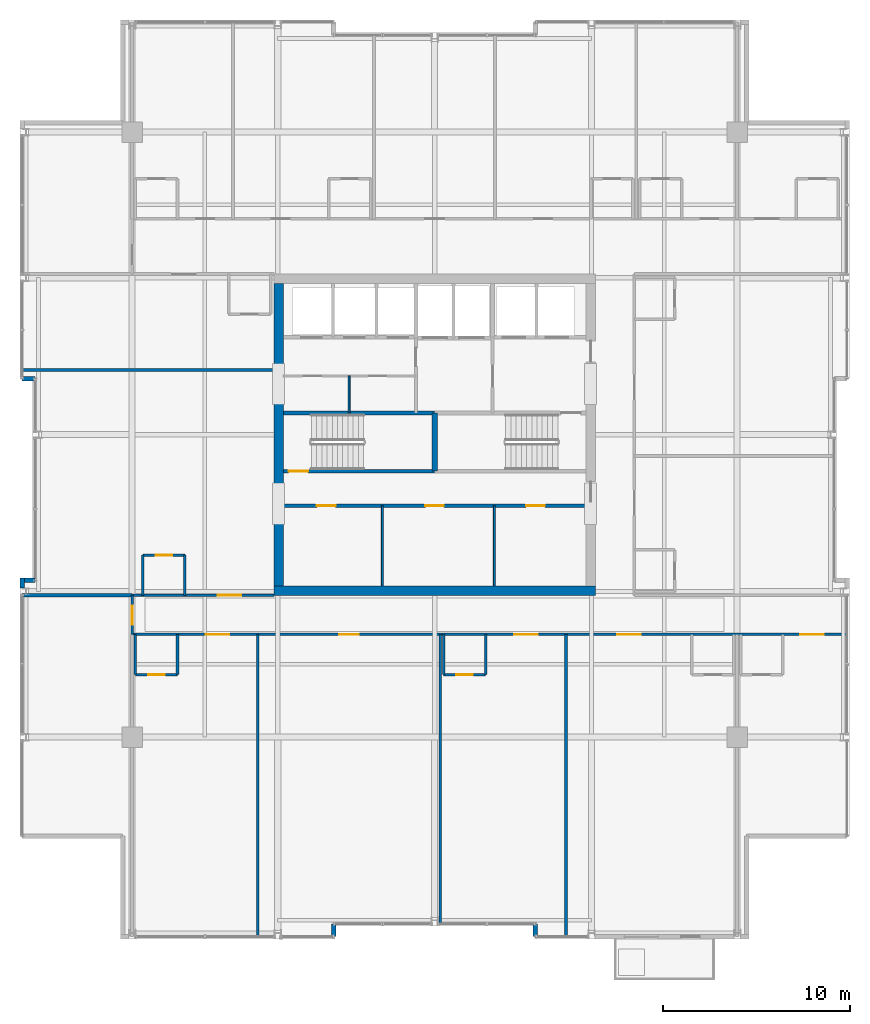
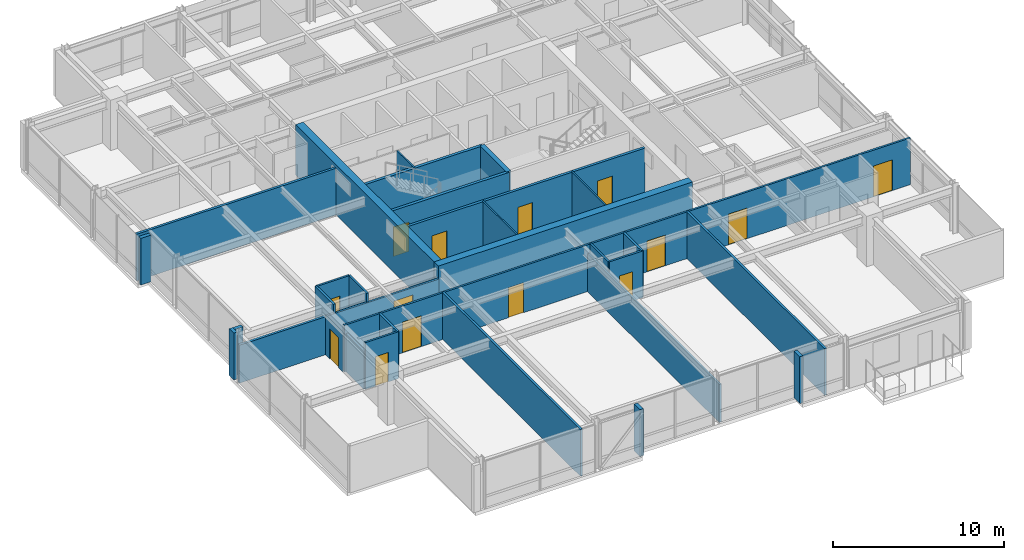
# One storey, part 26 of 32: 31 walls, 14 doors, 14 openings.
"""IFC4 building model written with IfcOpenShell, lengths in metres."""

from ifc_helpers import new_model, si_unit, direction, frame, frame_2d, origin, place, context, subcontext, project, spatial, rectangle, extrude, material, layer, layer_set, type_object, element, fill, save


model = new_model("IFC4")

# Units and contexts
model_context = context("Model", 3, precision=1e-05, world=origin(), true_north=direction((0.0, 1.0)))
body_context = subcontext(model_context, "Body", "Model", "MODEL_VIEW")
ifc_project = project(units=[si_unit("LENGTHUNIT", "METRE"), si_unit("AREAUNIT", "SQUARE_METRE"), si_unit("VOLUMEUNIT", "CUBIC_METRE"), si_unit("PLANEANGLEUNIT", "RADIAN"), si_unit("MASSUNIT", "GRAM", prefix="KILO")], contexts=[model_context])

# Site, building, storey
site_placement = place(None, origin())
site = spatial("IfcSite", under=ifc_project, at=site_placement, CompositionType="ELEMENT")
building_placement = place(site_placement, origin())
building = spatial("IfcBuilding", under=site, at=building_placement, Name="Drelvath Grand Hotel", CompositionType="ELEMENT")
storey_placement = place(building_placement, frame((0.0, 0.0, 237.5)))
storey = spatial("IfcBuildingStorey", under=building, at=storey_placement, Name="L62", CompositionType="ELEMENT", Elevation=237.5)

# Walls
ifc_material_1 = material(Name="Gypsum Partition Board")
ifc_layer_1 = layer(ifc_material_1, 0.10009765625)
ifc_layer_set_1 = layer_set([ifc_layer_1], Name="Gypsum Partition Board")
wall_type_1 = type_object("IfcWallType", Name="Core Closet Partition 100", PredefinedType="PARTITIONING", material=ifc_layer_set_1)
wall_1_placement = place(storey_placement, frame((-4.580078125, 28.159912109375, 0.0), z_axis=(0.0, 0.0, 1.0), x_axis=(0.0, 1.0, 0.0)))
element("IfcWall", 1, at=wall_1_placement, inside=storey, type_object=wall_type_1, Name="L62 Core Closet Split 1", PredefinedType="PARTITIONING", context=body_context, shape_type="SweptSolid", body=[
    extrude(rectangle(XDim=1.97998046875, YDim=0.10009765625, at=frame_2d((0.989990234375, 0.0))), origin(), (0.0, 0.0, 1.0), 3.340087890625),
])
for number, where, z_axis, x_axis, name in (
    (2, (-2.800048828125, 18.89990234375, 0.0), (0.0, 0.0, 1.0), (0.0, 1.0, 0.0), "L62 Upper Core Split 1A"),
    (3, (3.199951171875, 18.89990234375, 0.0), (0.0, 0.0, 1.0), (0.0, 1.0, 0.0), "L62 Upper Core Split 1B"),
):
    element("IfcWall", number, at=place(storey_placement, frame(where, z_axis=z_axis, x_axis=x_axis)), inside=storey, type_object=wall_type_1, Name=name, PredefinedType="PARTITIONING", context=body_context, shape_type="SweptSolid", body=[
        extrude(rectangle(XDim=4.300048828125, YDim=0.10009765625, at=frame_2d((2.14990234375, 0.0))), origin(), (0.0, 0.0, 1.0), 3.340087890625),
    ])

# Wall, opening, door
ifc_material_2 = material(Name="Concrete C40/50", Category="concrete")
ifc_layer_2 = layer(ifc_material_2, 0.199951171875)
ifc_layer_set_2 = layer_set([ifc_layer_2], Name="Concrete C40/50")
wall_type_2 = type_object("IfcWallType", Name="Core Shaft Fire Wall 200", PredefinedType="SOLIDWALL", material=ifc_layer_set_2)
wall_2_placement = place(storey_placement, frame((-8.10009765625, 25.0400390625, 0.0), z_axis=(0.0, 0.0, 1.0), x_axis=(1.0, 0.0, 0.0)))
wall_2 = element("IfcWall", 4, at=wall_2_placement, inside=storey, type_object=wall_type_2, Name="L62 Stair ST-1 South Wall", PredefinedType="SOLIDWALL", context=body_context, shape_type="SweptSolid", body=[
    extrude(rectangle(XDim=8.10009765625, YDim=0.199951171875, at=frame_2d((4.050048828125, 0.0))), origin(), (0.0, 0.0, 1.0), 3.340087890625),
])
opening_1_placement = place(wall_2_placement, frame((0.280029296875, 0.0, 0.0)))
opening_1 = element("IfcOpeningElement", 5, at=opening_1_placement, cuts=wall_2, Name="Opening D-T4G4-001", PredefinedType="OPENING", context=body_context, shape_type="SweptSolid", body=[
    extrude(rectangle(XDim=1.050048828125, YDim=2.10009765625, at=frame_2d((0.52490234375, 1.050048828125))), frame((0.0, 0.10986328125, 0.0), z_axis=(0.0, -1.0, 0.0), x_axis=(1.0, 0.0, 0.0)), (0.0, 0.0, 1.0), 0.219970703125),
])
ifc_material_3 = material(Name="Painted Steel S275", Category="steel")
door_type_1 = type_object("IfcDoorType", Name="Tower Stairwell Fire Door 1050x2100", OperationType="NOTDEFINED", PredefinedType="DOOR", material=ifc_material_3)
door_1_placement = place(opening_1_placement, origin())
door_1 = element("IfcDoor", 6, at=door_1_placement, inside=storey, type_object=door_type_1, Name="L62 Exit Stair ST-1 Door", OperationType="SINGLE_SWING_LEFT", OverallHeight=2.10009765625, OverallWidth=1.050048828125, PredefinedType="DOOR", context=body_context, shape_type="SweptSolid", body=[
    extrude(rectangle(XDim=1.050048828125, YDim=2.10009765625, at=frame_2d((0.52490234375, 1.050048828125))), frame((0.0, 0.02490234375, 0.0), z_axis=(0.0, -1.0, 0.0), x_axis=(1.0, 0.0, 0.0)), (0.0, 0.0, 1.0), 0.050048828125),
])
fill(opening_1, door_1)

# Walls
wall_3_placement = place(storey_placement, frame((-8.10009765625, 28.159912109375, 0.0), z_axis=(0.0, 0.0, 1.0), x_axis=(1.0, 0.0, 0.0)))
element("IfcWall", 7, at=wall_3_placement, inside=storey, type_object=wall_type_2, Name="L62 Stair ST-1 North Wall", PredefinedType="SOLIDWALL", context=body_context, shape_type="SweptSolid", body=[
    extrude(rectangle(XDim=8.10009765625, YDim=0.199951171875, at=frame_2d((4.050048828125, 0.0))), origin(), (0.0, 0.0, 1.0), 3.340087890625),
])
ifc_layer_3 = layer(ifc_material_2, 0.300048828125)
ifc_layer_set_3 = layer_set([ifc_layer_3], Name="Concrete C40/50")
wall_type_3 = type_object("IfcWallType", Name="Core Shaft Fire Wall 300", PredefinedType="SOLIDWALL", material=ifc_layer_set_3)
wall_4_placement = place(storey_placement, frame((0.0, 25.0400390625, 0.0), z_axis=(0.0, 0.0, 1.0), x_axis=(0.0, 1.0, 0.0)))
element("IfcWall", 8, at=wall_4_placement, inside=storey, type_object=wall_type_3, Name="L62 Core Stair Divider Wall", PredefinedType="SOLIDWALL", context=body_context, shape_type="SweptSolid", body=[
    extrude(rectangle(XDim=3.119873046875, YDim=0.300048828125, at=frame_2d((1.56005859375, 0.0))), origin(), (0.0, 0.0, 1.0), 3.340087890625),
])

# Wall, openings, doors
ifc_material_4 = material(Name="Gypsum Fireboard Partition")
ifc_layer_4 = layer(ifc_material_4, 0.135009765625)
ifc_layer_set_4 = layer_set([ifc_layer_4], Name="Gypsum Fireboard Partition")
wall_type_4 = type_object("IfcWallType", Name="Corridor Fire Barrier Wall 135", PredefinedType="PARTITIONING", material=ifc_layer_set_4)
wall_5_placement = place(storey_placement, frame((-16.199951171875, 16.300048828125, 0.0), z_axis=(0.0, 0.0, 1.0), x_axis=(1.0, 0.0, 0.0)))
wall_5 = element("IfcWall", 9, at=wall_5_placement, inside=storey, type_object=wall_type_4, Name="L62 South Cross-Gallery Wall", PredefinedType="PARTITIONING", context=body_context, shape_type="SweptSolid", body=[
    extrude(rectangle(XDim=38.280029296875, YDim=0.135009765625, at=frame_2d((19.14013671875, 0.0))), origin(), (0.0, 0.0, 1.0), 3.340087890625),
])
opening_2_placement = place(wall_5_placement, frame((35.784912109375, 0.0, 0.0)))
opening_2 = element("IfcOpeningElement", 10, at=opening_2_placement, cuts=wall_5, Name="Opening D-T4G4-022", PredefinedType="OPENING", context=body_context, shape_type="SweptSolid", body=[
    extrude(rectangle(XDim=1.260009765625, YDim=2.199951171875, at=frame_2d((0.6298828125, 1.10009765625))), frame((0.0, 0.077392578125, 0.0), z_axis=(0.0, -1.0, 0.0), x_axis=(1.0, 0.0, 0.0)), (0.0, 0.0, 1.0), 0.155029296875),
])
opening_3_placement = place(wall_5_placement, frame((3.947265625, 0.0, 0.0)))
opening_3 = element("IfcOpeningElement", 11, at=opening_3_placement, cuts=wall_5, Name="Opening D-T4G4-026", PredefinedType="OPENING", context=body_context, shape_type="SweptSolid", body=[
    extrude(rectangle(XDim=1.260009765625, YDim=2.199951171875, at=frame_2d((0.6298828125, 1.10009765625))), frame((0.0, 0.077392578125, 0.0), z_axis=(0.0, -1.0, 0.0), x_axis=(1.0, 0.0, 0.0)), (0.0, 0.0, 1.0), 0.155029296875),
])
opening_4_placement = place(wall_5_placement, frame((11.10498046875, 0.0, 0.0)))
opening_4 = element("IfcOpeningElement", 12, at=opening_4_placement, cuts=wall_5, Name="Opening D-T4G4-027", PredefinedType="OPENING", context=body_context, shape_type="SweptSolid", body=[
    extrude(rectangle(XDim=1.02001953125, YDim=2.14990234375, at=frame_2d((0.510009765625, 1.074951171875))), frame((0.0, 0.077392578125, 0.0), z_axis=(0.0, -1.0, 0.0), x_axis=(1.0, 0.0, 0.0)), (0.0, 0.0, 1.0), 0.155029296875),
])
opening_5_placement = place(wall_5_placement, frame((20.452880859375, 0.0, 0.0)))
opening_5 = element("IfcOpeningElement", 13, at=opening_5_placement, cuts=wall_5, Name="Opening D-T4G4-029", PredefinedType="OPENING", context=body_context, shape_type="SweptSolid", body=[
    extrude(rectangle(XDim=1.260009765625, YDim=2.199951171875, at=frame_2d((0.6298828125, 1.10009765625))), frame((0.0, 0.077392578125, 0.0), z_axis=(0.0, -1.0, 0.0), x_axis=(1.0, 0.0, 0.0)), (0.0, 0.0, 1.0), 0.155029296875),
])
opening_6_placement = place(wall_5_placement, frame((25.97021484375, 0.0, 0.0)))
opening_6 = element("IfcOpeningElement", 14, at=opening_6_placement, cuts=wall_5, Name="Opening D-T4G4-031", PredefinedType="OPENING", context=body_context, shape_type="SweptSolid", body=[
    extrude(rectangle(XDim=1.260009765625, YDim=2.199951171875, at=frame_2d((0.6298828125, 1.10009765625))), frame((0.0, 0.077392578125, 0.0), z_axis=(0.0, -1.0, 0.0), x_axis=(1.0, 0.0, 0.0)), (0.0, 0.0, 1.0), 0.155029296875),
])
ifc_material_5 = material(Name="Hardwood Walnut Timber", Category="wood")
door_type_2 = type_object("IfcDoorType", Name="Amenity Meeting Fire Door 1020x2150", OperationType="NOTDEFINED", PredefinedType="DOOR", material=ifc_material_5)
door_2_placement = place(opening_4_placement, origin())
door_2 = element("IfcDoor", 15, at=door_2_placement, inside=storey, type_object=door_type_2, Name="L62 Summit Conference Room Entry Door", OperationType="SINGLE_SWING_RIGHT", OverallHeight=2.14990234375, OverallWidth=1.02001953125, PredefinedType="DOOR", context=body_context, shape_type="SweptSolid", body=[
    extrude(rectangle(XDim=1.02001953125, YDim=2.14990234375, at=frame_2d((0.510009765625, 1.074951171875))), frame((0.0, 0.02490234375, 0.0), z_axis=(0.0, -1.0, 0.0), x_axis=(1.0, 0.0, 0.0)), (0.0, 0.0, 1.0), 0.050048828125),
])
fill(opening_4, door_2)
door_type_3 = type_object("IfcDoorType", Name="Suite Entrance Fire Door 1260x2200", OperationType="NOTDEFINED", PredefinedType="DOOR", material=ifc_material_5)
door_3_placement = place(opening_2_placement, origin())
door_3 = element("IfcDoor", 16, at=door_3_placement, inside=storey, type_object=door_type_3, Name="L62 Diplomatic Suite Entry Door", OperationType="SINGLE_SWING_LEFT", OverallHeight=2.199951171875, OverallWidth=1.260009765625, PredefinedType="DOOR", context=body_context, shape_type="SweptSolid", body=[
    extrude(rectangle(XDim=1.260009765625, YDim=2.199951171875, at=frame_2d((0.6298828125, 1.10009765625))), frame((0.0, 0.02490234375, 0.0), z_axis=(0.0, -1.0, 0.0), x_axis=(1.0, 0.0, 0.0)), (0.0, 0.0, 1.0), 0.050048828125),
])
fill(opening_2, door_3)
door_4_placement = place(opening_3_placement, origin())
door_4 = element("IfcDoor", 17, at=door_4_placement, inside=storey, type_object=door_type_3, Name="L62 Diplomatic Suite Entry Door", OperationType="SINGLE_SWING_LEFT", OverallHeight=2.199951171875, OverallWidth=1.260009765625, PredefinedType="DOOR", context=body_context, shape_type="SweptSolid", body=[
    extrude(rectangle(XDim=1.260009765625, YDim=2.199951171875, at=frame_2d((0.6298828125, 1.10009765625))), frame((0.0, 0.02490234375, 0.0), z_axis=(0.0, -1.0, 0.0), x_axis=(1.0, 0.0, 0.0)), (0.0, 0.0, 1.0), 0.050048828125),
])
fill(opening_3, door_4)
door_5_placement = place(opening_5_placement, origin())
door_5 = element("IfcDoor", 18, at=door_5_placement, inside=storey, type_object=door_type_3, Name="L62 Diplomatic Suite Entry Door", OperationType="SINGLE_SWING_RIGHT", OverallHeight=2.199951171875, OverallWidth=1.260009765625, PredefinedType="DOOR", context=body_context, shape_type="SweptSolid", body=[
    extrude(rectangle(XDim=1.260009765625, YDim=2.199951171875, at=frame_2d((0.6298828125, 1.10009765625))), frame((0.0, 0.02490234375, 0.0), z_axis=(0.0, -1.0, 0.0), x_axis=(1.0, 0.0, 0.0)), (0.0, 0.0, 1.0), 0.050048828125),
])
fill(opening_5, door_5)
door_6_placement = place(opening_6_placement, origin())
door_6 = element("IfcDoor", 19, at=door_6_placement, inside=storey, type_object=door_type_3, Name="L62 Diplomatic Suite Entry Door", OperationType="SINGLE_SWING_RIGHT", OverallHeight=2.199951171875, OverallWidth=1.260009765625, PredefinedType="DOOR", context=body_context, shape_type="SweptSolid", body=[
    extrude(rectangle(XDim=1.260009765625, YDim=2.199951171875, at=frame_2d((0.6298828125, 1.10009765625))), frame((0.0, 0.02490234375, 0.0), z_axis=(0.0, -1.0, 0.0), x_axis=(1.0, 0.0, 0.0)), (0.0, 0.0, 1.0), 0.050048828125),
])
fill(opening_6, door_6)

# Wall, opening, door
wall_6_placement = place(storey_placement, frame((-16.199951171875, 18.39990234375, 0.0), z_axis=(0.0, 0.0, 1.0), x_axis=(1.0, 0.0, 0.0)))
wall_6 = element("IfcWall", 20, at=wall_6_placement, inside=storey, type_object=wall_type_4, Name="L62 South Gallery Inner West Wall", PredefinedType="PARTITIONING", context=body_context, shape_type="SweptSolid", body=[
    extrude(rectangle(XDim=7.599853515625, YDim=0.135009765625, at=frame_2d((3.7998046875, 0.0))), origin(), (0.0, 0.0, 1.0), 2.71728515625),
])
opening_7_placement = place(wall_6_placement, frame((4.5849609375, 0.0, 0.0)))
opening_7 = element("IfcOpeningElement", 21, at=opening_7_placement, cuts=wall_6, Name="Opening D-T4G4-046", PredefinedType="OPENING", context=body_context, shape_type="SweptSolid", body=[
    extrude(rectangle(XDim=1.260009765625, YDim=2.199951171875, at=frame_2d((0.6298828125, 1.10009765625))), frame((0.0, 0.077392578125, 0.0), z_axis=(0.0, -1.0, 0.0), x_axis=(1.0, 0.0, 0.0)), (0.0, 0.0, 1.0), 0.155029296875),
])
door_7_placement = place(opening_7_placement, origin())
door_7 = element("IfcDoor", 22, at=door_7_placement, inside=storey, type_object=door_type_3, Name="L62 Diplomatic Suite Entry Door", OperationType="SINGLE_SWING_LEFT", OverallHeight=2.199951171875, OverallWidth=1.260009765625, PredefinedType="DOOR", context=body_context, shape_type="SweptSolid", body=[
    extrude(rectangle(XDim=1.260009765625, YDim=2.199951171875, at=frame_2d((0.6298828125, 1.10009765625))), frame((0.0, 0.02490234375, 0.0), z_axis=(0.0, -1.0, 0.0), x_axis=(1.0, 0.0, 0.0)), (0.0, 0.0, 1.0), 0.050048828125),
])
fill(opening_7, door_7)

wall_7_placement = place(storey_placement, frame((-16.199951171875, 16.300048828125, 0.0), z_axis=(0.0, 0.0, 1.0), x_axis=(0.0, 1.0, 0.0)))
wall_7 = element("IfcWall", 23, at=wall_7_placement, inside=storey, type_object=wall_type_4, Name="L62 South Gallery West End", PredefinedType="PARTITIONING", context=body_context, shape_type="SweptSolid", body=[
    extrude(rectangle(XDim=2.099853515625, YDim=0.135009765625, at=frame_2d((1.0498046875, 0.0))), origin(), (0.0, 0.0, 1.0), 2.7138671875),
])
opening_8_placement = place(wall_7_placement, frame((0.52001953125, 0.0, 0.0)))
opening_8 = element("IfcOpeningElement", 24, at=opening_8_placement, cuts=wall_7, Name="Opening D-T4G4-019", PredefinedType="OPENING", context=body_context, shape_type="SweptSolid", body=[
    extrude(rectangle(XDim=1.02001953125, YDim=2.14990234375, at=frame_2d((0.510009765625, 1.074951171875))), frame((0.0, 0.077392578125, 0.0), z_axis=(0.0, -1.0, 0.0), x_axis=(1.0, 0.0, 0.0)), (0.0, 0.0, 1.0), 0.155029296875),
])
door_8_placement = place(opening_8_placement, origin())
door_8 = element("IfcDoor", 25, at=door_8_placement, inside=storey, type_object=door_type_2, Name="L62 Corner Panorama Lounge Door", OperationType="SINGLE_SWING_RIGHT", OverallHeight=2.14990234375, OverallWidth=1.02001953125, PredefinedType="DOOR", context=body_context, shape_type="SweptSolid", body=[
    extrude(rectangle(XDim=1.02001953125, YDim=2.14990234375, at=frame_2d((0.510009765625, 1.074951171875))), frame((0.0, 0.02490234375, 0.0), z_axis=(0.0, -1.0, 0.0), x_axis=(1.0, 0.0, 0.0)), (0.0, 0.0, 1.0), 0.050048828125),
])
fill(opening_8, door_8)

# Walls
ifc_material_6 = material(Name="Moisture-Resistant Gypsum Board")
ifc_layer_5 = layer(ifc_material_6, 0.139892578125)
ifc_layer_set_5 = layer_set([ifc_layer_5], Name="Moisture-Resistant Gypsum Board")
wall_type_5 = type_object("IfcWallType", Name="En-Suite Plumbing Wall 140", PredefinedType="PLUMBINGWALL", material=ifc_layer_set_5)
wall_8_placement = place(storey_placement, frame((-16.02001953125, 16.300048828125, 0.0), z_axis=(0.0, 0.0, 1.0), x_axis=(0.0, -1.0, 0.0)))
element("IfcWall", 26, at=wall_8_placement, inside=storey, type_object=wall_type_5, Name="L62 En-Suite Left Wall", PredefinedType="PLUMBINGWALL", context=body_context, shape_type="SweptSolid", body=[
    extrude(rectangle(XDim=2.150146484375, YDim=0.139892578125, at=frame_2d((1.0751953125, 0.0))), origin(), (0.0, 0.0, 1.0), 2.7138671875),
])
wall_9_placement = place(storey_placement, frame((-13.77001953125, 16.300048828125, 0.0), z_axis=(0.0, 0.0, 1.0), x_axis=(0.0, -1.0, 0.0)))
element("IfcWall", 27, at=wall_9_placement, inside=storey, type_object=wall_type_5, Name="L62 En-Suite Right Wall", PredefinedType="PLUMBINGWALL", context=body_context, shape_type="SweptSolid", body=[
    extrude(rectangle(XDim=2.150146484375, YDim=0.139892578125, at=frame_2d((1.0751953125, 0.0))), origin(), (0.0, 0.0, 1.0), 3.340087890625),
])

# Wall, opening, door
wall_10_placement = place(storey_placement, frame((-16.02001953125, 14.14990234375, 0.0), z_axis=(0.0, 0.0, 1.0), x_axis=(1.0, 0.0, 0.0)))
wall_10 = element("IfcWall", 28, at=wall_10_placement, inside=storey, type_object=wall_type_5, Name="L62 En-Suite Front Wall", PredefinedType="PLUMBINGWALL", context=body_context, shape_type="SweptSolid", body=[
    extrude(rectangle(XDim=2.25, YDim=0.139892578125, at=frame_2d((1.125, 0.0))), origin(), (0.0, 0.0, 1.0), 3.340087890625),
])
opening_9_placement = place(wall_10_placement, frame((0.68505859375, 0.0, 0.0)))
opening_9 = element("IfcOpeningElement", 29, at=opening_9_placement, cuts=wall_10, Name="Opening D-T4G4-025", PredefinedType="OPENING", context=body_context, shape_type="SweptSolid", body=[
    extrude(rectangle(XDim=0.8798828125, YDim=2.10009765625, at=frame_2d((0.43994140625, 1.050048828125))), frame((0.0, 0.079833984375, 0.0), z_axis=(0.0, -1.0, 0.0), x_axis=(1.0, 0.0, 0.0)), (0.0, 0.0, 1.0), 0.159912109375),
])
door_type_4 = type_object("IfcDoorType", Name="En-Suite Bathroom Door 880x2100", OperationType="NOTDEFINED", PredefinedType="DOOR", material=ifc_material_5)
door_9_placement = place(opening_9_placement, origin())
door_9 = element("IfcDoor", 30, at=door_9_placement, inside=storey, type_object=door_type_4, Name="L62 En-Suite Bathroom Door", OperationType="SINGLE_SWING_RIGHT", OverallHeight=2.10009765625, OverallWidth=0.8798828125, PredefinedType="DOOR", context=body_context, shape_type="SweptSolid", body=[
    extrude(rectangle(XDim=0.8798828125, YDim=2.10009765625, at=frame_2d((0.43994140625, 1.050048828125))), frame((0.0, 0.02490234375, 0.0), z_axis=(0.0, -1.0, 0.0), x_axis=(1.0, 0.0, 0.0)), (0.0, 0.0, 1.0), 0.050048828125),
])
fill(opening_9, door_9)

# Walls
for number, where, z_axis, x_axis, name in (
    (31, (0.485595703125, 16.300048828125, 0.0), (0.0, 0.0, 1.0), (0.0, -1.0, 0.0), "L62 En-Suite Left Wall"),
    (32, (2.735595703125, 16.300048828125, 0.0), (0.0, 0.0, 1.0), (0.0, -1.0, 0.0), "L62 En-Suite Right Wall"),
):
    element("IfcWall", number, at=place(storey_placement, frame(where, z_axis=z_axis, x_axis=x_axis)), inside=storey, type_object=wall_type_5, Name=name, PredefinedType="PLUMBINGWALL", context=body_context, shape_type="SweptSolid", body=[
        extrude(rectangle(XDim=2.150146484375, YDim=0.139892578125, at=frame_2d((1.0751953125, 0.0))), origin(), (0.0, 0.0, 1.0), 3.340087890625),
    ])

# Wall, opening, door
wall_11_placement = place(storey_placement, frame((0.485595703125, 14.14990234375, 0.0), z_axis=(0.0, 0.0, 1.0), x_axis=(1.0, 0.0, 0.0)))
wall_11 = element("IfcWall", 33, at=wall_11_placement, inside=storey, type_object=wall_type_5, Name="L62 En-Suite Front Wall", PredefinedType="PLUMBINGWALL", context=body_context, shape_type="SweptSolid", body=[
    extrude(rectangle(XDim=2.25, YDim=0.139892578125, at=frame_2d((1.125, 0.0))), origin(), (0.0, 0.0, 1.0), 3.340087890625),
])
opening_10_placement = place(wall_11_placement, frame((0.68505859375, 0.0, 0.0)))
opening_10 = element("IfcOpeningElement", 34, at=opening_10_placement, cuts=wall_11, Name="Opening D-T4G4-028", PredefinedType="OPENING", context=body_context, shape_type="SweptSolid", body=[
    extrude(rectangle(XDim=0.8798828125, YDim=2.10009765625, at=frame_2d((0.43994140625, 1.050048828125))), frame((0.0, 0.079833984375, 0.0), z_axis=(0.0, -1.0, 0.0), x_axis=(1.0, 0.0, 0.0)), (0.0, 0.0, 1.0), 0.159912109375),
])
door_10_placement = place(opening_10_placement, origin())
door_10 = element("IfcDoor", 35, at=door_10_placement, inside=storey, type_object=door_type_4, Name="L62 En-Suite Bathroom Door", OperationType="SINGLE_SWING_LEFT", OverallHeight=2.10009765625, OverallWidth=0.8798828125, PredefinedType="DOOR", context=body_context, shape_type="SweptSolid", body=[
    extrude(rectangle(XDim=0.8798828125, YDim=2.10009765625, at=frame_2d((0.43994140625, 1.050048828125))), frame((0.0, 0.02490234375, 0.0), z_axis=(0.0, -1.0, 0.0), x_axis=(1.0, 0.0, 0.0)), (0.0, 0.0, 1.0), 0.050048828125),
])
fill(opening_10, door_10)

# Walls
for number, where, z_axis, x_axis, name in (
    (36, (-15.6201171875, 18.39990234375, 0.0), (0.0, 0.0, 1.0), (0.0, 1.0, 0.0), "L62 En-Suite Left Wall"),
    (37, (-13.3701171875, 18.39990234375, 0.0), (0.0, 0.0, 1.0), (0.0, 1.0, 0.0), "L62 En-Suite Right Wall"),
):
    element("IfcWall", number, at=place(storey_placement, frame(where, z_axis=z_axis, x_axis=x_axis)), inside=storey, type_object=wall_type_5, Name=name, PredefinedType="PLUMBINGWALL", context=body_context, shape_type="SweptSolid", body=[
        extrude(rectangle(XDim=2.150146484375, YDim=0.139892578125, at=frame_2d((1.0751953125, 0.0))), origin(), (0.0, 0.0, 1.0), 3.340087890625),
    ])

# Wall, opening, door
wall_12_placement = place(storey_placement, frame((-15.6201171875, 20.550048828125, 0.0), z_axis=(0.0, 0.0, 1.0), x_axis=(1.0, 0.0, 0.0)))
wall_12 = element("IfcWall", 38, at=wall_12_placement, inside=storey, type_object=wall_type_5, Name="L62 En-Suite Front Wall", PredefinedType="PLUMBINGWALL", context=body_context, shape_type="SweptSolid", body=[
    extrude(rectangle(XDim=2.25, YDim=0.139892578125, at=frame_2d((1.125, 0.0))), origin(), (0.0, 0.0, 1.0), 3.340087890625),
])
opening_11_placement = place(wall_12_placement, frame((0.68505859375, 0.0, 0.0)))
opening_11 = element("IfcOpeningElement", 39, at=opening_11_placement, cuts=wall_12, Name="Opening D-T4G4-045", PredefinedType="OPENING", context=body_context, shape_type="SweptSolid", body=[
    extrude(rectangle(XDim=0.8798828125, YDim=2.10009765625, at=frame_2d((0.43994140625, 1.050048828125))), frame((0.0, 0.079833984375, 0.0), z_axis=(0.0, -1.0, 0.0), x_axis=(1.0, 0.0, 0.0)), (0.0, 0.0, 1.0), 0.159912109375),
])
door_11_placement = place(opening_11_placement, origin())
door_11 = element("IfcDoor", 40, at=door_11_placement, inside=storey, type_object=door_type_4, Name="L62 En-Suite Bathroom Door", OperationType="SINGLE_SWING_RIGHT", OverallHeight=2.10009765625, OverallWidth=0.8798828125, PredefinedType="DOOR", context=body_context, shape_type="SweptSolid", body=[
    extrude(rectangle(XDim=0.8798828125, YDim=2.10009765625, at=frame_2d((0.43994140625, 1.050048828125))), frame((0.0, 0.02490234375, 0.0), z_axis=(0.0, -1.0, 0.0), x_axis=(1.0, 0.0, 0.0)), (0.0, 0.0, 1.0), 0.050048828125),
])
fill(opening_11, door_11)

# Wall, openings, doors
ifc_layer_6 = layer(ifc_material_4, 0.179931640625)
ifc_layer_set_6 = layer_set([ifc_layer_6], Name="Gypsum Fireboard Partition")
wall_type_6 = type_object("IfcWallType", Name="FSAE Smoke Lobby Fire Wall 180", PredefinedType="SOLIDWALL", material=ifc_layer_set_6)
wall_13_placement = place(storey_placement, frame((-8.10009765625, 23.199951171875, 0.0), z_axis=(0.0, 0.0, 1.0), x_axis=(1.0, 0.0, 0.0)))
wall_13 = element("IfcWall", 41, at=wall_13_placement, inside=storey, type_object=wall_type_6, Name="L62 Upper Reclaimed Core Wall", PredefinedType="SOLIDWALL", context=body_context, shape_type="SweptSolid", body=[
    extrude(rectangle(XDim=16.2001953125, YDim=0.179931640625, at=frame_2d((8.10009765625, 0.0))), origin(), (0.0, 0.0, 1.0), 3.340087890625),
])
opening_12_placement = place(wall_13_placement, frame((1.800048828125, 0.0, 0.0)))
opening_12 = element("IfcOpeningElement", 42, at=opening_12_placement, cuts=wall_13, Name="Opening D-T4G4-016", PredefinedType="OPENING", context=body_context, shape_type="SweptSolid", body=[
    extrude(rectangle(XDim=1.0, YDim=2.10009765625, at=frame_2d((0.5, 1.050048828125))), frame((0.0, 0.099853515625, 0.0), z_axis=(0.0, -1.0, 0.0), x_axis=(1.0, 0.0, 0.0)), (0.0, 0.0, 1.0), 0.199951171875),
])
opening_13_placement = place(wall_13_placement, frame((7.60009765625, 0.0, 0.0)))
opening_13 = element("IfcOpeningElement", 43, at=opening_13_placement, cuts=wall_13, Name="Opening D-T4G4-017", PredefinedType="OPENING", context=body_context, shape_type="SweptSolid", body=[
    extrude(rectangle(XDim=1.0, YDim=2.10009765625, at=frame_2d((0.5, 1.050048828125))), frame((0.0, 0.099853515625, 0.0), z_axis=(0.0, -1.0, 0.0), x_axis=(1.0, 0.0, 0.0)), (0.0, 0.0, 1.0), 0.199951171875),
])
opening_14_placement = place(wall_13_placement, frame((13.0, 0.0, 0.0)))
opening_14 = element("IfcOpeningElement", 44, at=opening_14_placement, cuts=wall_13, Name="Opening D-T4G4-018", PredefinedType="OPENING", context=body_context, shape_type="SweptSolid", body=[
    extrude(rectangle(XDim=1.0, YDim=2.10009765625, at=frame_2d((0.5, 1.050048828125))), frame((0.0, 0.099853515625, 0.0), z_axis=(0.0, -1.0, 0.0), x_axis=(1.0, 0.0, 0.0)), (0.0, 0.0, 1.0), 0.199951171875),
])
door_type_5 = type_object("IfcDoorType", Name="Core Service Fire Door 1000x2100", OperationType="NOTDEFINED", PredefinedType="DOOR", material=ifc_material_3)
door_12_placement = place(opening_12_placement, origin())
door_12 = element("IfcDoor", 45, at=door_12_placement, inside=storey, type_object=door_type_5, Name="L62 Housekeeping Door", OperationType="SINGLE_SWING_LEFT", OverallHeight=2.10009765625, OverallWidth=1.0, PredefinedType="DOOR", context=body_context, shape_type="SweptSolid", body=[
    extrude(rectangle(XDim=1.0, YDim=2.10009765625, at=frame_2d((0.5, 1.050048828125))), frame((0.0, 0.02490234375, 0.0), z_axis=(0.0, -1.0, 0.0), x_axis=(1.0, 0.0, 0.0)), (0.0, 0.0, 1.0), 0.050048828125),
])
fill(opening_12, door_12)
door_13_placement = place(opening_13_placement, origin())
door_13 = element("IfcDoor", 46, at=door_13_placement, inside=storey, type_object=door_type_5, Name="L62 Prep Pantry Door", OperationType="SINGLE_SWING_RIGHT", OverallHeight=2.10009765625, OverallWidth=1.0, PredefinedType="DOOR", context=body_context, shape_type="SweptSolid", body=[
    extrude(rectangle(XDim=1.0, YDim=2.10009765625, at=frame_2d((0.5, 1.050048828125))), frame((0.0, 0.02490234375, 0.0), z_axis=(0.0, -1.0, 0.0), x_axis=(1.0, 0.0, 0.0)), (0.0, 0.0, 1.0), 0.050048828125),
])
fill(opening_13, door_13)
door_14_placement = place(opening_14_placement, origin())
door_14 = element("IfcDoor", 47, at=door_14_placement, inside=storey, type_object=door_type_5, Name="L62 AV Room Door", OperationType="SINGLE_SWING_LEFT", OverallHeight=2.10009765625, OverallWidth=1.0, PredefinedType="DOOR", context=body_context, shape_type="SweptSolid", body=[
    extrude(rectangle(XDim=1.0, YDim=2.10009765625, at=frame_2d((0.5, 1.050048828125))), frame((0.0, 0.02490234375, 0.0), z_axis=(0.0, -1.0, 0.0), x_axis=(1.0, 0.0, 0.0)), (0.0, 0.0, 1.0), 0.050048828125),
])
fill(opening_14, door_14)

# Walls
ifc_material_7 = material(Name="Gypsum Acoustic Partition")
ifc_layer_7 = layer(ifc_material_7, 0.14990234375)
ifc_layer_set_7 = layer_set([ifc_layer_7], Name="Gypsum Acoustic Partition")
wall_type_7 = type_object("IfcWallType", Name="Guestroom Demising Wall 150", PredefinedType="PARTITIONING", material=ifc_layer_set_7)
wall_14_placement = place(storey_placement, frame((-9.4755859375, 0.1201171875, 0.0), z_axis=(0.0, 0.0, 1.0), x_axis=(0.0, 1.0, 0.0)))
element("IfcWall", 48, at=wall_14_placement, inside=storey, type_object=wall_type_7, Name="L62 South Demising 1", PredefinedType="PARTITIONING", context=body_context, shape_type="SweptSolid", body=[
    extrude(rectangle(XDim=16.179931640625, YDim=0.14990234375, at=frame_2d((8.08984375, 0.0))), origin(), (0.0, 0.0, 1.0), 3.340087890625),
])
wall_15_placement = place(storey_placement, frame((0.3056640625, 0.800048828125, 0.0), z_axis=(0.0, 0.0, 1.0), x_axis=(0.0, 1.0, 0.0)))
element("IfcWall", 49, at=wall_15_placement, inside=storey, type_object=wall_type_7, Name="L62 South Demising 2", PredefinedType="PARTITIONING", context=body_context, shape_type="SweptSolid", body=[
    extrude(rectangle(XDim=15.5, YDim=0.14990234375, at=frame_2d((7.75, 0.0))), origin(), (0.0, 0.0, 1.0), 2.7138671875),
])
wall_16_placement = place(storey_placement, frame((7.0302734375, 0.1201171875, 0.0), z_axis=(0.0, 0.0, 1.0), x_axis=(0.0, 1.0, 0.0)))
element("IfcWall", 50, at=wall_16_placement, inside=storey, type_object=wall_type_7, Name="L62 South Demising 3", PredefinedType="PARTITIONING", context=body_context, shape_type="SweptSolid", body=[
    extrude(rectangle(XDim=16.179931640625, YDim=0.14990234375, at=frame_2d((8.08984375, 0.0))), origin(), (0.0, 0.0, 1.0), 3.340087890625),
])
ifc_layer_8 = layer(ifc_material_7, 0.1650390625)
ifc_layer_set_8 = layer_set([ifc_layer_8], Name="Gypsum Acoustic Partition")
wall_type_8 = type_object("IfcWallType", Name="Suite Demising Wall 165", PredefinedType="PARTITIONING", material=ifc_layer_set_8)
wall_17_placement = place(storey_placement, frame((-22.080078125, 18.39990234375, 0.0), z_axis=(0.0, 0.0, 1.0), x_axis=(1.0, 0.0, 0.0)))
element("IfcWall", 51, at=wall_17_placement, inside=storey, type_object=wall_type_8, Name="L62 SW Corner North Wall", PredefinedType="PARTITIONING", context=body_context, shape_type="SweptSolid", body=[
    extrude(rectangle(XDim=5.880126953125, YDim=0.1650390625, at=frame_2d((2.93994140625, 0.0))), origin(), (0.0, 0.0, 1.0), 2.7138671875),
])
wall_18_placement = place(storey_placement, frame((-22.080078125, 30.449951171875, 0.0), z_axis=(0.0, 0.0, 1.0), x_axis=(1.0, 0.0, 0.0)))
element("IfcWall", 52, at=wall_18_placement, inside=storey, type_object=wall_type_8, Name="L62 West Grand Suite Split Wall", PredefinedType="PARTITIONING", context=body_context, shape_type="SweptSolid", body=[
    extrude(rectangle(XDim=13.47998046875, YDim=0.1650390625, at=frame_2d((6.739990234375, 0.0))), origin(), (0.0, 0.0, 1.0), 3.340087890625),
])
ifc_material_8 = material(Name="Pale-Metal Insulated Aluminium Spandrel Assembly", Category="aluminium")
ifc_layer_9 = layer(ifc_material_8, 0.239990234375)
ifc_layer_set_9 = layer_set([ifc_layer_9], Name="Pale-Metal Insulated Aluminium Spandrel Assembly")
wall_type_9 = type_object("IfcWallType", Name="Tower Insulated Metal Spandrel Closure Wall 240", PredefinedType="STANDARD", material=ifc_layer_set_9)
wall_19_placement = place(storey_placement, frame((-22.080078125, 18.7783203125, 0.0), z_axis=(0.0, 0.0, 1.0), x_axis=(0.0, 1.0, 0.0)))
element("IfcWall", 53, at=wall_19_placement, inside=storey, type_object=wall_type_9, Name="L62 Corner Pier Spandrel Wall WS3", PredefinedType="STANDARD", context=body_context, shape_type="SweptSolid", body=[
    extrude(rectangle(XDim=0.541748046875, YDim=0.239990234375, at=frame_2d((0.27099609375, 0.0))), origin(), (0.0, 0.0, 1.0), 3.340087890625),
])
wall_20_placement = place(storey_placement, frame((-21.9599609375, 19.199951171875, 0.0), z_axis=(0.0, 0.0, 1.0), x_axis=(1.0, 0.0, 0.0)))
element("IfcWall", 54, at=wall_20_placement, inside=storey, type_object=wall_type_9, Name="L62 Notched Corner Return Spandrel Wall RW1", PredefinedType="STANDARD", context=body_context, shape_type="SweptSolid", body=[
    extrude(rectangle(XDim=0.56005859375, YDim=0.239990234375, at=frame_2d((0.280029296875, 0.0))), origin(), (0.0, 0.0, 1.0), 3.340087890625),
])
wall_21_placement = place(storey_placement, frame((-21.39990234375, 30.0, 0.0), z_axis=(0.0, 0.0, 1.0), x_axis=(-1.0, 0.0, 0.0)))
element("IfcWall", 55, at=wall_21_placement, inside=storey, type_object=wall_type_9, Name="L62 Notched Corner Return Spandrel Wall RW2", PredefinedType="STANDARD", context=body_context, shape_type="SweptSolid", body=[
    extrude(rectangle(XDim=0.68017578125, YDim=0.239990234375, at=frame_2d((0.340087890625, 0.0))), origin(), (0.0, 0.0, 1.0), 3.340087890625),
])
for number, where, z_axis, x_axis, name in (
    (56, (5.39990234375, 0.1201171875, 0.0), (0.0, 0.0, 1.0), (0.0, 1.0, 0.0), "L62 Notched Corner Return Spandrel Wall RS1"),
    (57, (-5.39990234375, 0.800048828125, 0.0), (0.0, 0.0, 1.0), (0.0, -1.0, 0.0), "L62 Notched Corner Return Spandrel Wall RS2"),
):
    element("IfcWall", number, at=place(storey_placement, frame(where, z_axis=z_axis, x_axis=x_axis)), inside=storey, type_object=wall_type_9, Name=name, PredefinedType="STANDARD", context=body_context, shape_type="SweptSolid", body=[
        extrude(rectangle(XDim=0.679931640625, YDim=0.239990234375, at=frame_2d((0.33984375, 0.0))), origin(), (0.0, 0.0, 1.0), 3.340087890625),
    ])
ifc_material_9 = material(Name="Concrete f'c 55 MPa", Category="concrete")
ifc_layer_10 = layer(ifc_material_9, 0.5)
ifc_layer_set_10 = layer_set([ifc_layer_10], Name="Concrete f'c 55 MPa")
wall_type_10 = type_object("IfcWallType", Name="Upper Core RC Shear Wall 500", PredefinedType="SHEAR", material=ifc_layer_set_10)
wall_22_placement = place(storey_placement, frame((8.60009765625, 18.64990234375, 0.0), z_axis=(0.0, 0.0, 1.0), x_axis=(-1.0, 0.0, 0.0)))
element("IfcWall", 58, at=wall_22_placement, inside=storey, type_object=wall_type_10, Name="L62 Central Core Shear Wall S", PredefinedType="SHEAR", context=body_context, shape_type="SweptSolid", body=[
    extrude(rectangle(XDim=17.2001953125, YDim=0.5, at=frame_2d((8.60009765625, 0.0))), origin(), (0.0, 0.0, 1.0), 3.60009765625),
])
wall_23_placement = place(storey_placement, frame((-8.35009765625, 18.89990234375, 0.0), z_axis=(0.0, 0.0, 1.0), x_axis=(0.0, 1.0, 0.0)))
element("IfcWall", 59, at=wall_23_placement, inside=storey, type_object=wall_type_10, Name="L62 Central Core Shear Wall W", PredefinedType="SHEAR", context=body_context, shape_type="SweptSolid", body=[
    extrude(rectangle(XDim=16.2001953125, YDim=0.5, at=frame_2d((8.10009765625, 0.0))), origin(), (0.0, 0.0, 1.0), 3.60009765625),
])

save(model, "model.ifc")
